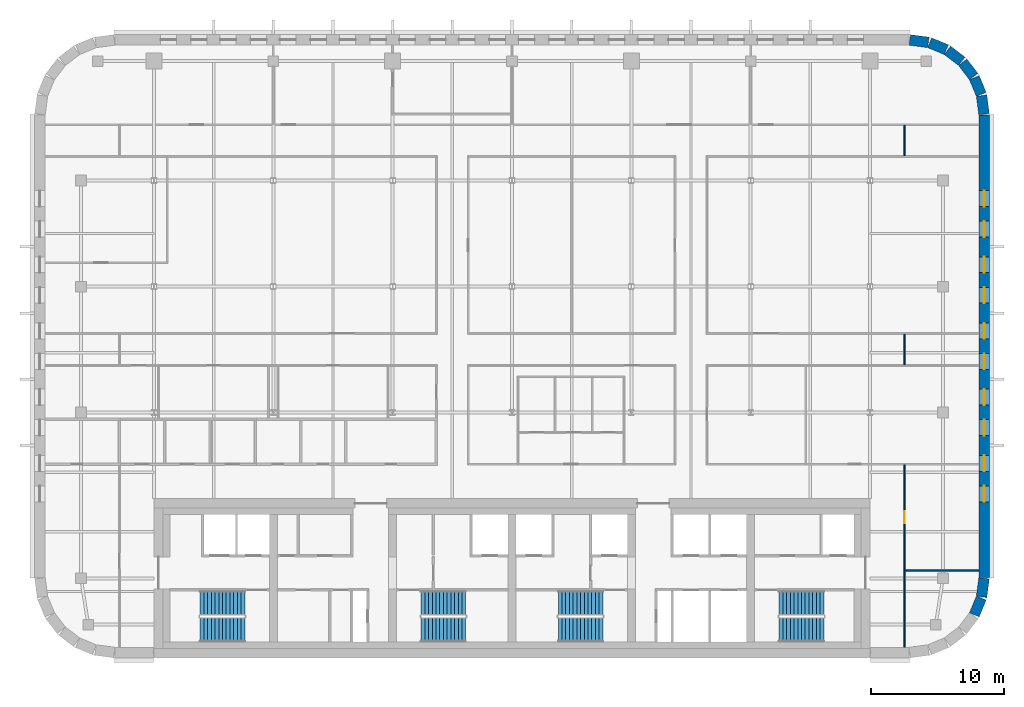
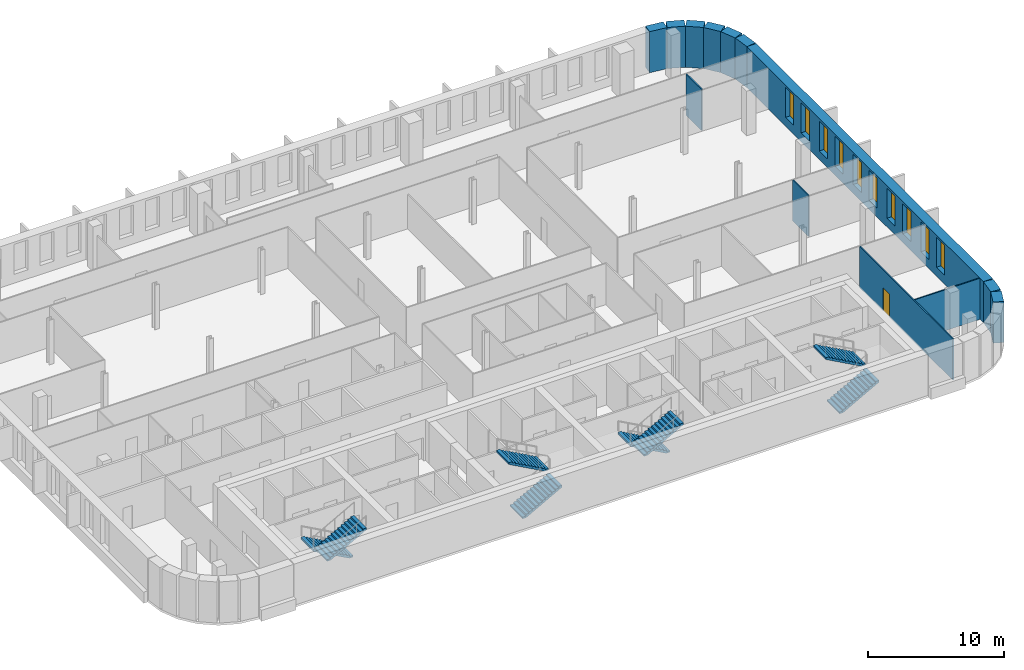
# One storey, part 11 of 15: 13 walls, 10 windows, 8 stair flights, 1 door, 11 openings, 4 elements without a shape of their own.
"""IFC4 building model written with IfcOpenShell, lengths in metres."""

from ifc_helpers import new_model, si_unit, direction, frame, frame_2d, origin, place, context, subcontext, project, spatial, polyline, rectangle, outline, extrude, material, layer, layer_set, type_object, element, fill, aggregate, save


model = new_model("IFC4")

# Units and contexts
model_context = context("Model", 3, precision=1e-05, world=origin(), true_north=direction((0.0, 1.0)))
body_context = subcontext(model_context, "Body", "Model", "MODEL_VIEW")
ifc_project = project(units=[si_unit("LENGTHUNIT", "METRE"), si_unit("AREAUNIT", "SQUARE_METRE"), si_unit("VOLUMEUNIT", "CUBIC_METRE"), si_unit("PLANEANGLEUNIT", "RADIAN"), si_unit("MASSUNIT", "GRAM", prefix="KILO")], contexts=[model_context])

# Site, building, storey
site_placement = place(None, origin())
site = spatial("IfcSite", under=ifc_project, at=site_placement, CompositionType="ELEMENT")
building_placement = place(site_placement, origin())
building = spatial("IfcBuilding", under=site, at=building_placement, Name="Zellij Exchange Tower", CompositionType="ELEMENT")
storey_placement = place(building_placement, frame((0.0, 0.0, 260.5)))
storey = spatial("IfcBuildingStorey", under=building, at=storey_placement, Name="L61", CompositionType="ELEMENT", Elevation=260.5)

# Walls
ifc_material_1 = material(Name="Precast concrete C40/50", Category="concrete")
ifc_layer_1 = layer(ifc_material_1, 0.800048828125)
ifc_layer_set_1 = layer_set([ifc_layer_1], Name="Precast concrete C40/50")
wall_type_1 = type_object("IfcWallType", Name="ENV-EW1 Precast stone-piered wall 800", PredefinedType="SOLIDWALL", material=ifc_layer_set_1)
wall_1_placement = place(storey_placement, frame((34.866943359375, -10.74951171875, 0.0), z_axis=(0.0, 0.0, 1.0), x_axis=(0.38276009378, 0.923847774587, 0.0)))
element("IfcWall", 1, at=wall_1_placement, inside=storey, type_object=wall_type_1, Name="fac.L61.05", PredefinedType="SOLIDWALL", context=body_context, shape_type="SweptSolid", body=[
    extrude(rectangle(XDim=1.35546875, YDim=0.800048828125, at=frame_2d((0.677734375, 0.0))), origin(), (0.0, 0.0, 1.0), 3.699951171875),
])
wall_2_placement = place(storey_placement, frame((35.412841796875, -9.396240234375, 0.0), z_axis=(0.0, 0.0, 1.0), x_axis=(0.130517283865, 0.99144603414, 0.0)))
element("IfcWall", 2, at=wall_2_placement, inside=storey, type_object=wall_type_1, Name="fac.L61.06", PredefinedType="SOLIDWALL", context=body_context, shape_type="SweptSolid", body=[
    extrude(rectangle(XDim=1.408447265625, YDim=0.800048828125, at=frame_2d((0.7041015625, 0.0))), origin(), (0.0, 0.0, 1.0), 3.699951171875),
])

# Wall, openings, windows
wall_3_placement = place(storey_placement, frame((35.60009765625, -7.947509765625, 0.0), z_axis=(0.0, 0.0, 1.0), x_axis=(0.0, 1.0, 0.0)))
wall_3 = element("IfcWall", 3, at=wall_3_placement, inside=storey, type_object=wall_type_1, Name="fac.L61.07", PredefinedType="SOLIDWALL", context=body_context, shape_type="SweptSolid", body=[
    extrude(rectangle(XDim=34.89501953125, YDim=0.800048828125, at=frame_2d((17.447509765625, 0.0))), origin(), (0.0, 0.0, 1.0), 3.699951171875),
])
opening_1_placement = place(wall_3_placement, frame((5.71240234375, 0.0, 0.800048828125)))
opening_1 = element("IfcOpeningElement", 4, at=opening_1_placement, cuts=wall_3, Name="Opening FZ4.01", PredefinedType="OPENING", context=body_context, shape_type="SweptSolid", body=[
    extrude(rectangle(XDim=1.199951171875, YDim=2.699951171875, at=frame_2d((0.60009765625, 1.35009765625))), frame((0.0, 0.412109375, 0.0), z_axis=(0.0, -1.0, 0.0), x_axis=(1.0, 0.0, 0.0)), (0.0, 0.0, 1.0), 0.823974609375),
])
opening_2_placement = place(wall_3_placement, frame((8.0126953125, 0.0, 0.800048828125)))
opening_2 = element("IfcOpeningElement", 5, at=opening_2_placement, cuts=wall_3, Name="Opening FZ4.02", PredefinedType="OPENING", context=body_context, shape_type="SweptSolid", body=[
    extrude(rectangle(XDim=1.199951171875, YDim=2.699951171875, at=frame_2d((0.60009765625, 1.35009765625))), frame((0.0, 0.412109375, 0.0), z_axis=(0.0, -1.0, 0.0), x_axis=(1.0, 0.0, 0.0)), (0.0, 0.0, 1.0), 0.823974609375),
])
opening_3_placement = place(wall_3_placement, frame((10.705078125, 0.0, 0.800048828125)))
opening_3 = element("IfcOpeningElement", 6, at=opening_3_placement, cuts=wall_3, Name="Opening FZ4.03", PredefinedType="OPENING", context=body_context, shape_type="SweptSolid", body=[
    extrude(rectangle(XDim=1.199951171875, YDim=2.699951171875, at=frame_2d((0.60009765625, 1.35009765625))), frame((0.0, 0.412109375, 0.0), z_axis=(0.0, -1.0, 0.0), x_axis=(1.0, 0.0, 0.0)), (0.0, 0.0, 1.0), 0.823974609375),
])
opening_4_placement = place(wall_3_placement, frame((13.005126953125, 0.0, 0.800048828125)))
opening_4 = element("IfcOpeningElement", 7, at=opening_4_placement, cuts=wall_3, Name="Opening FZ4.04", PredefinedType="OPENING", context=body_context, shape_type="SweptSolid", body=[
    extrude(rectangle(XDim=1.199951171875, YDim=2.699951171875, at=frame_2d((0.60009765625, 1.35009765625))), frame((0.0, 0.412109375, 0.0), z_axis=(0.0, -1.0, 0.0), x_axis=(1.0, 0.0, 0.0)), (0.0, 0.0, 1.0), 0.823974609375),
])
opening_5_placement = place(wall_3_placement, frame((15.697509765625, 0.0, 0.800048828125)))
opening_5 = element("IfcOpeningElement", 8, at=opening_5_placement, cuts=wall_3, Name="Opening FZ4.05", PredefinedType="OPENING", context=body_context, shape_type="SweptSolid", body=[
    extrude(rectangle(XDim=1.199951171875, YDim=2.699951171875, at=frame_2d((0.60009765625, 1.35009765625))), frame((0.0, 0.412109375, 0.0), z_axis=(0.0, -1.0, 0.0), x_axis=(1.0, 0.0, 0.0)), (0.0, 0.0, 1.0), 0.823974609375),
])
opening_6_placement = place(wall_3_placement, frame((17.99755859375, 0.0, 0.800048828125)))
opening_6 = element("IfcOpeningElement", 9, at=opening_6_placement, cuts=wall_3, Name="Opening FZ4.06", PredefinedType="OPENING", context=body_context, shape_type="SweptSolid", body=[
    extrude(rectangle(XDim=1.199951171875, YDim=2.699951171875, at=frame_2d((0.60009765625, 1.35009765625))), frame((0.0, 0.412109375, 0.0), z_axis=(0.0, -1.0, 0.0), x_axis=(1.0, 0.0, 0.0)), (0.0, 0.0, 1.0), 0.823974609375),
])
opening_7_placement = place(wall_3_placement, frame((20.690185546875, 0.0, 0.800048828125)))
opening_7 = element("IfcOpeningElement", 10, at=opening_7_placement, cuts=wall_3, Name="Opening FZ4.07", PredefinedType="OPENING", context=body_context, shape_type="SweptSolid", body=[
    extrude(rectangle(XDim=1.199951171875, YDim=2.699951171875, at=frame_2d((0.60009765625, 1.35009765625))), frame((0.0, 0.412109375, 0.0), z_axis=(0.0, -1.0, 0.0), x_axis=(1.0, 0.0, 0.0)), (0.0, 0.0, 1.0), 0.823974609375),
])
opening_8_placement = place(wall_3_placement, frame((22.989990234375, 0.0, 0.800048828125)))
opening_8 = element("IfcOpeningElement", 11, at=opening_8_placement, cuts=wall_3, Name="Opening FZ4.08", PredefinedType="OPENING", context=body_context, shape_type="SweptSolid", body=[
    extrude(rectangle(XDim=1.199951171875, YDim=2.699951171875, at=frame_2d((0.60009765625, 1.35009765625))), frame((0.0, 0.412109375, 0.0), z_axis=(0.0, -1.0, 0.0), x_axis=(1.0, 0.0, 0.0)), (0.0, 0.0, 1.0), 0.823974609375),
])
opening_9_placement = place(wall_3_placement, frame((25.6826171875, 0.0, 0.800048828125)))
opening_9 = element("IfcOpeningElement", 12, at=opening_9_placement, cuts=wall_3, Name="Opening FZ4.09", PredefinedType="OPENING", context=body_context, shape_type="SweptSolid", body=[
    extrude(rectangle(XDim=1.199951171875, YDim=2.699951171875, at=frame_2d((0.60009765625, 1.35009765625))), frame((0.0, 0.412109375, 0.0), z_axis=(0.0, -1.0, 0.0), x_axis=(1.0, 0.0, 0.0)), (0.0, 0.0, 1.0), 0.823974609375),
])
opening_10_placement = place(wall_3_placement, frame((27.982666015625, 0.0, 0.800048828125)))
opening_10 = element("IfcOpeningElement", 13, at=opening_10_placement, cuts=wall_3, Name="Opening FZ4.10", PredefinedType="OPENING", context=body_context, shape_type="SweptSolid", body=[
    extrude(rectangle(XDim=1.199951171875, YDim=2.699951171875, at=frame_2d((0.60009765625, 1.35009765625))), frame((0.0, 0.412109375, 0.0), z_axis=(0.0, -1.0, 0.0), x_axis=(1.0, 0.0, 0.0)), (0.0, 0.0, 1.0), 0.823974609375),
])
ifc_material_2 = material(Name="Aluminium frame with insulating glass", Category="aluminium")
window_type = type_object("IfcWindowType", Name="ENV-W9 Window 1200x2700", PartitioningType="SINGLE_PANEL", PredefinedType="WINDOW", material=ifc_material_2)
window_1_placement = place(opening_1_placement, origin())
window_1 = element("IfcWindow", 14, at=window_1_placement, inside=storey, type_object=window_type, Name="Window FZ4.01", OverallHeight=2.699951171875, OverallWidth=1.199951171875, PartitioningType="SINGLE_PANEL", PredefinedType="WINDOW", context=body_context, shape_type="SweptSolid", body=[
    extrude(rectangle(XDim=1.199951171875, YDim=2.699951171875, at=frame_2d((0.60009765625, 1.35009765625))), frame((0.0, 0.030029296875, 0.0), z_axis=(0.0, -1.0, 0.0), x_axis=(1.0, 0.0, 0.0)), (0.0, 0.0, 1.0), 0.06005859375),
])
fill(opening_1, window_1)
window_2_placement = place(opening_2_placement, origin())
window_2 = element("IfcWindow", 15, at=window_2_placement, inside=storey, type_object=window_type, Name="Window FZ4.02", OverallHeight=2.699951171875, OverallWidth=1.199951171875, PartitioningType="SINGLE_PANEL", PredefinedType="WINDOW", context=body_context, shape_type="SweptSolid", body=[
    extrude(rectangle(XDim=1.199951171875, YDim=2.699951171875, at=frame_2d((0.60009765625, 1.35009765625))), frame((0.0, 0.030029296875, 0.0), z_axis=(0.0, -1.0, 0.0), x_axis=(1.0, 0.0, 0.0)), (0.0, 0.0, 1.0), 0.06005859375),
])
fill(opening_2, window_2)
window_3_placement = place(opening_3_placement, origin())
window_3 = element("IfcWindow", 16, at=window_3_placement, inside=storey, type_object=window_type, Name="Window FZ4.03", OverallHeight=2.699951171875, OverallWidth=1.199951171875, PartitioningType="SINGLE_PANEL", PredefinedType="WINDOW", context=body_context, shape_type="SweptSolid", body=[
    extrude(rectangle(XDim=1.199951171875, YDim=2.699951171875, at=frame_2d((0.60009765625, 1.35009765625))), frame((0.0, 0.030029296875, 0.0), z_axis=(0.0, -1.0, 0.0), x_axis=(1.0, 0.0, 0.0)), (0.0, 0.0, 1.0), 0.06005859375),
])
fill(opening_3, window_3)
window_4_placement = place(opening_4_placement, origin())
window_4 = element("IfcWindow", 17, at=window_4_placement, inside=storey, type_object=window_type, Name="Window FZ4.04", OverallHeight=2.699951171875, OverallWidth=1.199951171875, PartitioningType="SINGLE_PANEL", PredefinedType="WINDOW", context=body_context, shape_type="SweptSolid", body=[
    extrude(rectangle(XDim=1.199951171875, YDim=2.699951171875, at=frame_2d((0.60009765625, 1.35009765625))), frame((0.0, 0.030029296875, 0.0), z_axis=(0.0, -1.0, 0.0), x_axis=(1.0, 0.0, 0.0)), (0.0, 0.0, 1.0), 0.06005859375),
])
fill(opening_4, window_4)
window_5_placement = place(opening_5_placement, origin())
window_5 = element("IfcWindow", 18, at=window_5_placement, inside=storey, type_object=window_type, Name="Window FZ4.05", OverallHeight=2.699951171875, OverallWidth=1.199951171875, PartitioningType="SINGLE_PANEL", PredefinedType="WINDOW", context=body_context, shape_type="SweptSolid", body=[
    extrude(rectangle(XDim=1.199951171875, YDim=2.699951171875, at=frame_2d((0.60009765625, 1.35009765625))), frame((0.0, 0.030029296875, 0.0), z_axis=(0.0, -1.0, 0.0), x_axis=(1.0, 0.0, 0.0)), (0.0, 0.0, 1.0), 0.06005859375),
])
fill(opening_5, window_5)
window_6_placement = place(opening_6_placement, origin())
window_6 = element("IfcWindow", 19, at=window_6_placement, inside=storey, type_object=window_type, Name="Window FZ4.06", OverallHeight=2.699951171875, OverallWidth=1.199951171875, PartitioningType="SINGLE_PANEL", PredefinedType="WINDOW", context=body_context, shape_type="SweptSolid", body=[
    extrude(rectangle(XDim=1.199951171875, YDim=2.699951171875, at=frame_2d((0.60009765625, 1.35009765625))), frame((0.0, 0.030029296875, 0.0), z_axis=(0.0, -1.0, 0.0), x_axis=(1.0, 0.0, 0.0)), (0.0, 0.0, 1.0), 0.06005859375),
])
fill(opening_6, window_6)
window_7_placement = place(opening_7_placement, origin())
window_7 = element("IfcWindow", 20, at=window_7_placement, inside=storey, type_object=window_type, Name="Window FZ4.07", OverallHeight=2.699951171875, OverallWidth=1.199951171875, PartitioningType="SINGLE_PANEL", PredefinedType="WINDOW", context=body_context, shape_type="SweptSolid", body=[
    extrude(rectangle(XDim=1.199951171875, YDim=2.699951171875, at=frame_2d((0.60009765625, 1.35009765625))), frame((0.0, 0.030029296875, 0.0), z_axis=(0.0, -1.0, 0.0), x_axis=(1.0, 0.0, 0.0)), (0.0, 0.0, 1.0), 0.06005859375),
])
fill(opening_7, window_7)
window_8_placement = place(opening_8_placement, origin())
window_8 = element("IfcWindow", 21, at=window_8_placement, inside=storey, type_object=window_type, Name="Window FZ4.08", OverallHeight=2.699951171875, OverallWidth=1.199951171875, PartitioningType="SINGLE_PANEL", PredefinedType="WINDOW", context=body_context, shape_type="SweptSolid", body=[
    extrude(rectangle(XDim=1.199951171875, YDim=2.699951171875, at=frame_2d((0.60009765625, 1.35009765625))), frame((0.0, 0.030029296875, 0.0), z_axis=(0.0, -1.0, 0.0), x_axis=(1.0, 0.0, 0.0)), (0.0, 0.0, 1.0), 0.06005859375),
])
fill(opening_8, window_8)
window_9_placement = place(opening_9_placement, origin())
window_9 = element("IfcWindow", 22, at=window_9_placement, inside=storey, type_object=window_type, Name="Window FZ4.09", OverallHeight=2.699951171875, OverallWidth=1.199951171875, PartitioningType="SINGLE_PANEL", PredefinedType="WINDOW", context=body_context, shape_type="SweptSolid", body=[
    extrude(rectangle(XDim=1.199951171875, YDim=2.699951171875, at=frame_2d((0.60009765625, 1.35009765625))), frame((0.0, 0.030029296875, 0.0), z_axis=(0.0, -1.0, 0.0), x_axis=(1.0, 0.0, 0.0)), (0.0, 0.0, 1.0), 0.06005859375),
])
fill(opening_9, window_9)
window_10_placement = place(opening_10_placement, origin())
window_10 = element("IfcWindow", 23, at=window_10_placement, inside=storey, type_object=window_type, Name="Window FZ4.10", OverallHeight=2.699951171875, OverallWidth=1.199951171875, PartitioningType="SINGLE_PANEL", PredefinedType="WINDOW", context=body_context, shape_type="SweptSolid", body=[
    extrude(rectangle(XDim=1.199951171875, YDim=2.699951171875, at=frame_2d((0.60009765625, 1.35009765625))), frame((0.0, 0.030029296875, 0.0), z_axis=(0.0, -1.0, 0.0), x_axis=(1.0, 0.0, 0.0)), (0.0, 0.0, 1.0), 0.06005859375),
])
fill(opening_10, window_10)

# Walls
wall_4_placement = place(storey_placement, frame((35.5966796875, 26.999755859375, 0.0), z_axis=(0.0, 0.0, 1.0), x_axis=(-0.130517283865, 0.99144603414, 0.0)))
element("IfcWall", 24, at=wall_4_placement, inside=storey, type_object=wall_type_1, Name="fac.L61.08", PredefinedType="SOLIDWALL", context=body_context, shape_type="SweptSolid", body=[
    extrude(rectangle(XDim=1.408447265625, YDim=0.800048828125, at=frame_2d((0.7041015625, 0.0))), origin(), (0.0, 0.0, 1.0), 3.699951171875),
])
wall_5_placement = place(storey_placement, frame((35.3857421875, 28.497314453125, 0.0), z_axis=(0.0, 0.0, 1.0), x_axis=(-0.38276009378, 0.923847774587, 0.0)))
element("IfcWall", 25, at=wall_5_placement, inside=storey, type_object=wall_type_1, Name="fac.L61.09", PredefinedType="SOLIDWALL", context=body_context, shape_type="SweptSolid", body=[
    extrude(rectangle(XDim=1.35546875, YDim=0.800048828125, at=frame_2d((0.677734375, 0.0))), origin(), (0.0, 0.0, 1.0), 3.699951171875),
])
for number, where, z_axis, x_axis, name in (
    (26, (34.814697265625, 29.840087890625, 0.0), (0.0, 0.0, 1.0), (-0.608866226366, 0.793272915452, 0.0), "fac.L61.10"),
    (27, (33.91552734375, 30.9892578125, 0.0), (0.0, 0.0, 1.0), (-0.793272915452, 0.608866226366, 0.0), "fac.L61.11"),
):
    element("IfcWall", number, at=place(storey_placement, frame(where, z_axis=z_axis, x_axis=x_axis)), inside=storey, type_object=wall_type_1, Name=name, PredefinedType="SOLIDWALL", context=body_context, shape_type="SweptSolid", body=[
        extrude(rectangle(XDim=1.355712890625, YDim=0.800048828125, at=frame_2d((0.677734375, 0.0))), origin(), (0.0, 0.0, 1.0), 3.699951171875),
    ])
wall_6_placement = place(storey_placement, frame((32.74951171875, 31.866943359375, 0.0), z_axis=(0.0, 0.0, 1.0), x_axis=(-0.923847774587, 0.38276009378, 0.0)))
element("IfcWall", 28, at=wall_6_placement, inside=storey, type_object=wall_type_1, Name="fac.L61.12", PredefinedType="SOLIDWALL", context=body_context, shape_type="SweptSolid", body=[
    extrude(rectangle(XDim=1.35546875, YDim=0.800048828125, at=frame_2d((0.677734375, 0.0))), origin(), (0.0, 0.0, 1.0), 3.699951171875),
])
wall_7_placement = place(storey_placement, frame((31.396240234375, 32.412841796875, 0.0), z_axis=(0.0, 0.0, 1.0), x_axis=(-0.99144603414, 0.130517283865, 0.0)))
element("IfcWall", 29, at=wall_7_placement, inside=storey, type_object=wall_type_1, Name="fac.L61.13", PredefinedType="SOLIDWALL", context=body_context, shape_type="SweptSolid", body=[
    extrude(rectangle(XDim=1.408447265625, YDim=0.800048828125, at=frame_2d((0.7041015625, 0.0))), origin(), (0.0, 0.0, 1.0), 3.699951171875),
])

# Wall, opening, door
ifc_material_3 = material(Name="Gypsum board partition on steel studs", Category="steel")
ifc_layer_2 = layer(ifc_material_3, 0.10009765625)
ifc_layer_set_2 = layer_set([ifc_layer_2], Name="Gypsum board partition on steel studs")
wall_type_2 = type_object("IfcWallType", Name="FIT-PARTITION-100", PredefinedType="PARTITIONING", material=ifc_layer_set_2)
wall_8_placement = place(storey_placement, frame((29.60009765625, -13.199951171875, 0.0), z_axis=(0.0, 0.0, 1.0), x_axis=(0.0, 1.0, 0.0)))
wall_8 = element("IfcWall", 30, at=wall_8_placement, inside=storey, type_object=wall_type_2, Name="FIT-PARTITION-100 002", PredefinedType="PARTITIONING", context=body_context, shape_type="SweptSolid", body=[
    extrude(rectangle(XDim=13.75, YDim=0.10009765625, at=frame_2d((6.875, 0.0))), origin(), (0.0, 0.0, 1.0), 3.699951171875),
])
opening_11_placement = place(wall_8_placement, frame((9.35009765625, 0.0, 0.0)))
opening_11 = element("IfcOpeningElement", 31, at=opening_11_placement, cuts=wall_8, Name="Opening O4F.02", PredefinedType="OPENING", context=body_context, shape_type="SweptSolid", body=[
    extrude(rectangle(XDim=0.89990234375, YDim=2.10009765625, at=frame_2d((0.449951171875, 1.050048828125))), frame((0.0, 0.06201171875, 0.0), z_axis=(0.0, -1.0, 0.0), x_axis=(1.0, 0.0, 0.0)), (0.0, 0.0, 1.0), 0.1240234375),
])
ifc_material_4 = material(Name="Timber door set", Category="wood")
door_type = type_object("IfcDoorType", Name="FIT-D1-ROOM-900X2100", OperationType="SINGLE_SWING_LEFT", PredefinedType="DOOR", material=ifc_material_4)
door_placement = place(opening_11_placement, origin())
door = element("IfcDoor", 32, at=door_placement, inside=storey, type_object=door_type, Name="Door O4F.02", OperationType="SINGLE_SWING_LEFT", OverallHeight=2.10009765625, OverallWidth=0.89990234375, PredefinedType="DOOR", context=body_context, shape_type="SweptSolid", body=[
    extrude(rectangle(XDim=0.89990234375, YDim=2.10009765625, at=frame_2d((0.449951171875, 1.050048828125))), frame((0.0, 0.02490234375, 0.0), z_axis=(0.0, -1.0, 0.0), x_axis=(1.0, 0.0, 0.0)), (0.0, 0.0, 1.0), 0.050048828125),
])
fill(opening_11, door)

# Walls
wall_9_placement = place(storey_placement, frame((29.64990234375, -7.39990234375, 0.0), z_axis=(0.0, 0.0, 1.0), x_axis=(1.0, 0.0, 0.0)))
element("IfcWall", 33, at=wall_9_placement, inside=storey, type_object=wall_type_2, Name="FIT-PARTITION-100 003", PredefinedType="PARTITIONING", context=body_context, shape_type="SweptSolid", body=[
    extrude(rectangle(XDim=5.550048828125, YDim=0.10009765625, at=frame_2d((2.77490234375, 0.0))), origin(), (0.0, 0.0, 1.0), 3.699951171875),
])
for number, where, z_axis, x_axis, name in (
    (34, (29.60009765625, 8.10009765625, 0.0), (0.0, 0.0, 1.0), (0.0, 1.0, 0.0), "FIT-PARTITION-100 038"),
    (35, (29.60009765625, 23.85009765625, 0.0), (0.0, 0.0, 1.0), (0.0, 1.0, 0.0), "FIT-PARTITION-100 053"),
):
    element("IfcWall", number, at=place(storey_placement, frame(where, z_axis=z_axis, x_axis=x_axis)), inside=storey, type_object=wall_type_2, Name=name, PredefinedType="PARTITIONING", context=body_context, shape_type="SweptSolid", body=[
        extrude(rectangle(XDim=2.2998046875, YDim=0.10009765625, at=frame_2d((1.14990234375, 0.0))), origin(), (0.0, 0.0, 1.0), 3.699951171875),
    ])

# Stair, stair flights
ifc_material_5 = material(Name="Concrete C40/50", Category="concrete")
stair_type = type_object("IfcStairType", Name="CORE-ST exit stair 1850 wide", PredefinedType="HALF_TURN_STAIR", material=ifc_material_5)
stair_1_placement = place(storey_placement, origin())
stair_1 = element("IfcStair", 36, at=stair_1_placement, inside=storey, type_object=stair_type, Name="L61 exit stair ST1", PredefinedType="HALF_TURN_STAIR")
stair_flight_type = type_object("IfcStairFlightType", Name="CORE-SF flight 1850 riser 153.8 going 280", PredefinedType="STRAIGHT", material=ifc_material_5)
stair_flight_1_placement = place(storey_placement, frame((-20.14990234375, -9.875, 0.0), z_axis=(0.0, 0.0, 1.0), x_axis=(-1.0, 0.0, 0.0)))
stair_flight_1 = element("IfcStairFlight", 37, at=stair_flight_1_placement, type_object=stair_flight_type, Name="ST1 flight 1", NumberOfRisers=13, NumberOfTreads=12, PredefinedType="STRAIGHT", RiserHeight=0.153846154, TreadLength=0.28, context=body_context, shape_type="SweptSolid", body=[
    extrude(outline(polyline([(0.0, 0.0), (0.0, 0.15380859375), (0.280029296875, 0.15380859375), (0.280029296875, 0.3076171875), (0.56005859375, 0.3076171875), (0.56005859375, 0.46142578125), (0.840087890625, 0.46142578125), (0.840087890625, 0.615478515625), (1.1201171875, 0.615478515625), (1.1201171875, 0.769287109375), (1.39990234375, 0.769287109375), (1.39990234375, 0.923095703125), (1.679931640625, 0.923095703125), (1.679931640625, 1.076904296875), (1.9599609375, 1.076904296875), (1.9599609375, 1.230712890625), (2.239990234375, 1.230712890625), (2.239990234375, 1.384521484375), (2.52001953125, 1.384521484375), (2.52001953125, 1.53857421875), (2.800048828125, 1.53857421875), (2.800048828125, 1.6923828125), (3.080078125, 1.6923828125), (3.080078125, 1.84619140625), (3.360107421875, 1.84619140625), (3.360107421875, 2.0), (3.360107421875, 1.675048828125), (0.311279296875, 0.0), (0.0, 0.0)])), frame((0.0, 0.925048828125, 0.0), z_axis=(0.0, -1.0, 0.0), x_axis=(1.0, 0.0, 0.0)), (0.0, 0.0, 1.0), 1.85009765625),
])
stair_flight_2_placement = place(storey_placement, frame((-23.510009765625, -11.875, 2.0), z_axis=(0.0, 0.0, 1.0), x_axis=(1.0, 0.0, 0.0)))
stair_flight_2 = element("IfcStairFlight", 38, at=stair_flight_2_placement, type_object=stair_flight_type, Name="ST1 flight 2", NumberOfRisers=13, NumberOfTreads=12, PredefinedType="STRAIGHT", RiserHeight=0.153846154, TreadLength=0.28, context=body_context, shape_type="SweptSolid", body=[
    extrude(outline(polyline([(0.0, 0.0), (0.0, 0.15380859375), (0.280029296875, 0.15380859375), (0.280029296875, 0.3076171875), (0.56005859375, 0.3076171875), (0.56005859375, 0.46142578125), (0.840087890625, 0.46142578125), (0.840087890625, 0.615478515625), (1.1201171875, 0.615478515625), (1.1201171875, 0.769287109375), (1.39990234375, 0.769287109375), (1.39990234375, 0.923095703125), (1.679931640625, 0.923095703125), (1.679931640625, 1.076904296875), (1.9599609375, 1.076904296875), (1.9599609375, 1.230712890625), (2.239990234375, 1.230712890625), (2.239990234375, 1.384521484375), (2.52001953125, 1.384521484375), (2.52001953125, 1.53857421875), (2.800048828125, 1.53857421875), (2.800048828125, 1.6923828125), (3.080078125, 1.6923828125), (3.080078125, 1.84619140625), (3.360107421875, 1.84619140625), (3.360107421875, 2.0), (3.360107421875, 1.675048828125), (0.311279296875, 0.0), (0.0, 0.0)])), frame((0.0, 0.925048828125, 0.0), z_axis=(0.0, -1.0, 0.0), x_axis=(1.0, 0.0, 0.0)), (0.0, 0.0, 1.0), 1.85009765625),
])
aggregate(stair_1, [stair_flight_1, stair_flight_2])

stair_2_placement = place(storey_placement, origin())
stair_2 = element("IfcStair", 39, at=stair_2_placement, inside=storey, type_object=stair_type, Name="L61 exit stair ST2", PredefinedType="HALF_TURN_STAIR")
stair_flight_3_placement = place(storey_placement, frame((-6.85009765625, -11.875, 0.0), z_axis=(0.0, 0.0, 1.0), x_axis=(1.0, 0.0, 0.0)))
stair_flight_3 = element("IfcStairFlight", 40, at=stair_flight_3_placement, type_object=stair_flight_type, Name="ST2 flight 1", NumberOfRisers=13, NumberOfTreads=12, PredefinedType="STRAIGHT", RiserHeight=0.153846154, TreadLength=0.28, context=body_context, shape_type="SweptSolid", body=[
    extrude(outline(polyline([(0.0, 0.0), (0.0, 0.15380859375), (0.280029296875, 0.15380859375), (0.280029296875, 0.3076171875), (0.56005859375, 0.3076171875), (0.56005859375, 0.46142578125), (0.840087890625, 0.46142578125), (0.840087890625, 0.615478515625), (1.1201171875, 0.615478515625), (1.1201171875, 0.769287109375), (1.39990234375, 0.769287109375), (1.39990234375, 0.923095703125), (1.679931640625, 0.923095703125), (1.679931640625, 1.076904296875), (1.9599609375, 1.076904296875), (1.9599609375, 1.230712890625), (2.239990234375, 1.230712890625), (2.239990234375, 1.384521484375), (2.52001953125, 1.384521484375), (2.52001953125, 1.53857421875), (2.800048828125, 1.53857421875), (2.800048828125, 1.6923828125), (3.080078125, 1.6923828125), (3.080078125, 1.84619140625), (3.360107421875, 1.84619140625), (3.360107421875, 2.0), (3.360107421875, 1.675048828125), (0.311279296875, 0.0), (0.0, 0.0)])), frame((0.0, 0.925048828125, 0.0), z_axis=(0.0, -1.0, 0.0), x_axis=(1.0, 0.0, 0.0)), (0.0, 0.0, 1.0), 1.85009765625),
])
stair_flight_4_placement = place(storey_placement, frame((-3.489990234375, -9.875, 2.0), z_axis=(0.0, 0.0, 1.0), x_axis=(-1.0, 0.0, 0.0)))
stair_flight_4 = element("IfcStairFlight", 41, at=stair_flight_4_placement, type_object=stair_flight_type, Name="ST2 flight 2", NumberOfRisers=13, NumberOfTreads=12, PredefinedType="STRAIGHT", RiserHeight=0.153846154, TreadLength=0.28, context=body_context, shape_type="SweptSolid", body=[
    extrude(outline(polyline([(0.0, 0.0), (0.0, 0.15380859375), (0.280029296875, 0.15380859375), (0.280029296875, 0.3076171875), (0.56005859375, 0.3076171875), (0.56005859375, 0.46142578125), (0.840087890625, 0.46142578125), (0.840087890625, 0.615478515625), (1.1201171875, 0.615478515625), (1.1201171875, 0.769287109375), (1.39990234375, 0.769287109375), (1.39990234375, 0.923095703125), (1.679931640625, 0.923095703125), (1.679931640625, 1.076904296875), (1.9599609375, 1.076904296875), (1.9599609375, 1.230712890625), (2.239990234375, 1.230712890625), (2.239990234375, 1.384521484375), (2.52001953125, 1.384521484375), (2.52001953125, 1.53857421875), (2.800048828125, 1.53857421875), (2.800048828125, 1.6923828125), (3.080078125, 1.6923828125), (3.080078125, 1.84619140625), (3.360107421875, 1.84619140625), (3.360107421875, 2.0), (3.360107421875, 1.675048828125), (0.311279296875, 0.0), (0.0, 0.0)])), frame((0.0, 0.925048828125, 0.0), z_axis=(0.0, -1.0, 0.0), x_axis=(1.0, 0.0, 0.0)), (0.0, 0.0, 1.0), 1.85009765625),
])
aggregate(stair_2, [stair_flight_3, stair_flight_4])

stair_3_placement = place(storey_placement, origin())
stair_3 = element("IfcStair", 42, at=stair_3_placement, inside=storey, type_object=stair_type, Name="L61 exit stair ST3", PredefinedType="HALF_TURN_STAIR")
stair_flight_5_placement = place(storey_placement, frame((6.85009765625, -9.875, 0.0), z_axis=(0.0, 0.0, 1.0), x_axis=(-1.0, 0.0, 0.0)))
stair_flight_5 = element("IfcStairFlight", 43, at=stair_flight_5_placement, type_object=stair_flight_type, Name="ST3 flight 1", NumberOfRisers=13, NumberOfTreads=12, PredefinedType="STRAIGHT", RiserHeight=0.153846154, TreadLength=0.28, context=body_context, shape_type="SweptSolid", body=[
    extrude(outline(polyline([(0.0, 0.0), (0.0, 0.15380859375), (0.280029296875, 0.15380859375), (0.280029296875, 0.3076171875), (0.56005859375, 0.3076171875), (0.56005859375, 0.46142578125), (0.840087890625, 0.46142578125), (0.840087890625, 0.615478515625), (1.1201171875, 0.615478515625), (1.1201171875, 0.769287109375), (1.39990234375, 0.769287109375), (1.39990234375, 0.923095703125), (1.679931640625, 0.923095703125), (1.679931640625, 1.076904296875), (1.9599609375, 1.076904296875), (1.9599609375, 1.230712890625), (2.239990234375, 1.230712890625), (2.239990234375, 1.384521484375), (2.52001953125, 1.384521484375), (2.52001953125, 1.53857421875), (2.800048828125, 1.53857421875), (2.800048828125, 1.6923828125), (3.080078125, 1.6923828125), (3.080078125, 1.84619140625), (3.360107421875, 1.84619140625), (3.360107421875, 2.0), (3.360107421875, 1.675048828125), (0.311279296875, 0.0), (0.0, 0.0)])), frame((0.0, 0.925048828125, 0.0), z_axis=(0.0, -1.0, 0.0), x_axis=(1.0, 0.0, 0.0)), (0.0, 0.0, 1.0), 1.85009765625),
])
stair_flight_6_placement = place(storey_placement, frame((3.489990234375, -11.875, 2.0), z_axis=(0.0, 0.0, 1.0), x_axis=(1.0, 0.0, 0.0)))
stair_flight_6 = element("IfcStairFlight", 44, at=stair_flight_6_placement, type_object=stair_flight_type, Name="ST3 flight 2", NumberOfRisers=13, NumberOfTreads=12, PredefinedType="STRAIGHT", RiserHeight=0.153846154, TreadLength=0.28, context=body_context, shape_type="SweptSolid", body=[
    extrude(outline(polyline([(0.0, 0.0), (0.0, 0.15380859375), (0.280029296875, 0.15380859375), (0.280029296875, 0.3076171875), (0.56005859375, 0.3076171875), (0.56005859375, 0.46142578125), (0.840087890625, 0.46142578125), (0.840087890625, 0.615478515625), (1.1201171875, 0.615478515625), (1.1201171875, 0.769287109375), (1.39990234375, 0.769287109375), (1.39990234375, 0.923095703125), (1.679931640625, 0.923095703125), (1.679931640625, 1.076904296875), (1.9599609375, 1.076904296875), (1.9599609375, 1.230712890625), (2.239990234375, 1.230712890625), (2.239990234375, 1.384521484375), (2.52001953125, 1.384521484375), (2.52001953125, 1.53857421875), (2.800048828125, 1.53857421875), (2.800048828125, 1.6923828125), (3.080078125, 1.6923828125), (3.080078125, 1.84619140625), (3.360107421875, 1.84619140625), (3.360107421875, 2.0), (3.360107421875, 1.675048828125), (0.311279296875, 0.0), (0.0, 0.0)])), frame((0.0, 0.925048828125, 0.0), z_axis=(0.0, -1.0, 0.0), x_axis=(1.0, 0.0, 0.0)), (0.0, 0.0, 1.0), 1.85009765625),
])
aggregate(stair_3, [stair_flight_5, stair_flight_6])

stair_4_placement = place(storey_placement, origin())
stair_4 = element("IfcStair", 45, at=stair_4_placement, inside=storey, type_object=stair_type, Name="L61 exit stair ST4", PredefinedType="HALF_TURN_STAIR")
stair_flight_7_placement = place(storey_placement, frame((20.14990234375, -11.875, 0.0), z_axis=(0.0, 0.0, 1.0), x_axis=(1.0, 0.0, 0.0)))
stair_flight_7 = element("IfcStairFlight", 46, at=stair_flight_7_placement, type_object=stair_flight_type, Name="ST4 flight 1", NumberOfRisers=13, NumberOfTreads=12, PredefinedType="STRAIGHT", RiserHeight=0.153846154, TreadLength=0.28, context=body_context, shape_type="SweptSolid", body=[
    extrude(outline(polyline([(0.0, 0.0), (0.0, 0.15380859375), (0.280029296875, 0.15380859375), (0.280029296875, 0.3076171875), (0.56005859375, 0.3076171875), (0.56005859375, 0.46142578125), (0.840087890625, 0.46142578125), (0.840087890625, 0.615478515625), (1.1201171875, 0.615478515625), (1.1201171875, 0.769287109375), (1.39990234375, 0.769287109375), (1.39990234375, 0.923095703125), (1.679931640625, 0.923095703125), (1.679931640625, 1.076904296875), (1.9599609375, 1.076904296875), (1.9599609375, 1.230712890625), (2.239990234375, 1.230712890625), (2.239990234375, 1.384521484375), (2.52001953125, 1.384521484375), (2.52001953125, 1.53857421875), (2.800048828125, 1.53857421875), (2.800048828125, 1.6923828125), (3.080078125, 1.6923828125), (3.080078125, 1.84619140625), (3.360107421875, 1.84619140625), (3.360107421875, 2.0), (3.360107421875, 1.675048828125), (0.311279296875, 0.0), (0.0, 0.0)])), frame((0.0, 0.925048828125, 0.0), z_axis=(0.0, -1.0, 0.0), x_axis=(1.0, 0.0, 0.0)), (0.0, 0.0, 1.0), 1.85009765625),
])
stair_flight_8_placement = place(storey_placement, frame((23.510009765625, -9.875, 2.0), z_axis=(0.0, 0.0, 1.0), x_axis=(-1.0, 0.0, 0.0)))
stair_flight_8 = element("IfcStairFlight", 47, at=stair_flight_8_placement, type_object=stair_flight_type, Name="ST4 flight 2", NumberOfRisers=13, NumberOfTreads=12, PredefinedType="STRAIGHT", RiserHeight=0.153846154, TreadLength=0.28, context=body_context, shape_type="SweptSolid", body=[
    extrude(outline(polyline([(0.0, 0.0), (0.0, 0.15380859375), (0.280029296875, 0.15380859375), (0.280029296875, 0.3076171875), (0.56005859375, 0.3076171875), (0.56005859375, 0.46142578125), (0.840087890625, 0.46142578125), (0.840087890625, 0.615478515625), (1.1201171875, 0.615478515625), (1.1201171875, 0.769287109375), (1.39990234375, 0.769287109375), (1.39990234375, 0.923095703125), (1.679931640625, 0.923095703125), (1.679931640625, 1.076904296875), (1.9599609375, 1.076904296875), (1.9599609375, 1.230712890625), (2.239990234375, 1.230712890625), (2.239990234375, 1.384521484375), (2.52001953125, 1.384521484375), (2.52001953125, 1.53857421875), (2.800048828125, 1.53857421875), (2.800048828125, 1.6923828125), (3.080078125, 1.6923828125), (3.080078125, 1.84619140625), (3.360107421875, 1.84619140625), (3.360107421875, 2.0), (3.360107421875, 1.675048828125), (0.311279296875, 0.0), (0.0, 0.0)])), frame((0.0, 0.925048828125, 0.0), z_axis=(0.0, -1.0, 0.0), x_axis=(1.0, 0.0, 0.0)), (0.0, 0.0, 1.0), 1.85009765625),
])
aggregate(stair_4, [stair_flight_7, stair_flight_8])

save(model, "model.ifc")
